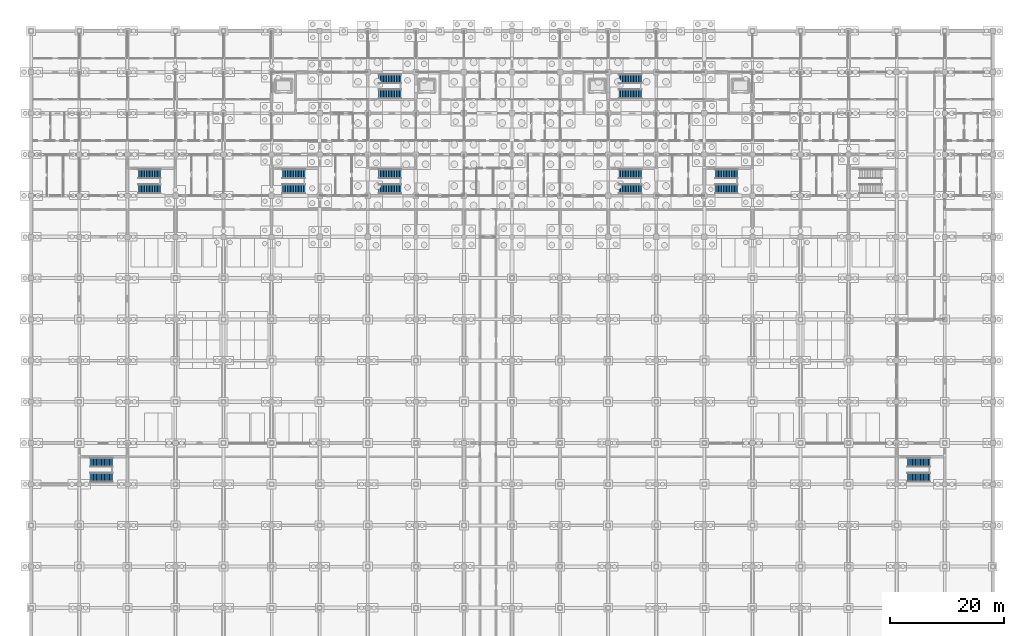
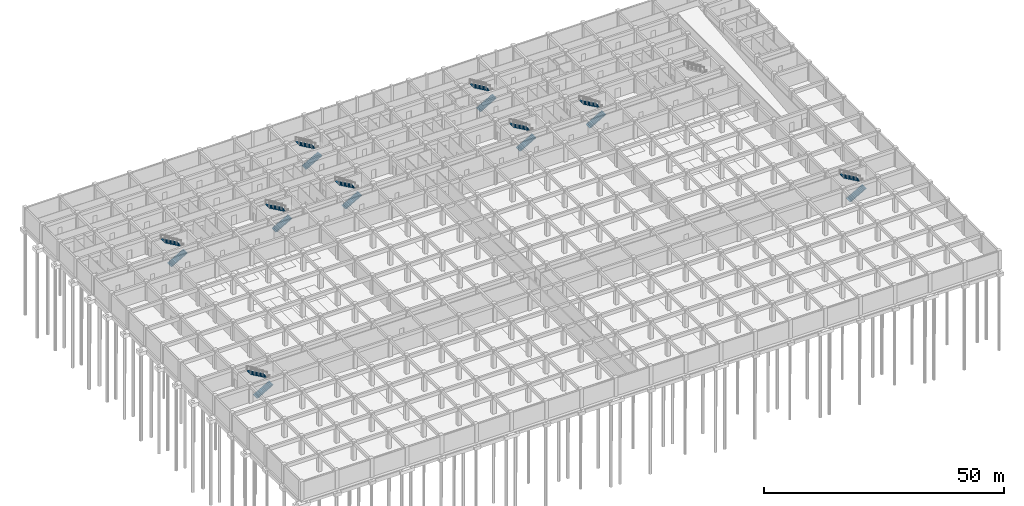
# One storey, part 80 of 85: 18 stair flights, 9 elements without a shape of their own.
"""IFC4 building model written with IfcOpenShell, lengths in metres."""

from ifc_helpers import new_model, si_unit, direction, frame, origin, place, context, subcontext, project, spatial, polyline, outline, extrude, material, type_object, element, aggregate, save


model = new_model("IFC4")

# Units and contexts
model_context = context("Model", 3, precision=1e-05, world=origin(), true_north=direction((0.0, 1.0)))
body_context = subcontext(model_context, "Body", "Model", "MODEL_VIEW")
ifc_project = project(units=[si_unit("LENGTHUNIT", "METRE"), si_unit("AREAUNIT", "SQUARE_METRE"), si_unit("VOLUMEUNIT", "CUBIC_METRE"), si_unit("PLANEANGLEUNIT", "RADIAN"), si_unit("MASSUNIT", "GRAM", prefix="KILO")], contexts=[model_context])

# Site, building, storey
site_placement = place(None, origin())
site = spatial("IfcSite", under=ifc_project, at=site_placement, CompositionType="ELEMENT")
building_placement = place(site_placement, origin())
building = spatial("IfcBuilding", under=site, at=building_placement, Name="Chengyuan Square Courthouse", CompositionType="ELEMENT")
storey_placement = place(building_placement, frame((0.0, 0.0, -10.199951171875)))
storey = spatial("IfcBuildingStorey", under=building, at=storey_placement, Name="B02", CompositionType="ELEMENT", Elevation=-10.199951171875)

# Stair, stair flights
ifc_material = material(Name="Concrete C40", Category="concrete")
stair_type_1 = type_object("IfcStairType", Name="ST-TYPE-01", PredefinedType="HALF_TURN_STAIR", material=ifc_material)
stair_1_placement = place(storey_placement, origin())
stair_1 = element("IfcStair", 1, at=stair_1_placement, inside=storey, type_object=stair_type_1, Name="Smoke-Proof Exit Stair ST-1 (B02 to B01)", PredefinedType="HALF_TURN_STAIR")
stair_flight_type_1 = type_object("IfcStairFlightType", Name="STF-TYPE-01", PredefinedType="STRAIGHT", material=ifc_material)
stair_flight_1_placement = place(storey_placement, frame((60.7099609375, 104.175048828125, 0.0), z_axis=(0.0, 0.0, 1.0), x_axis=(1.0, 0.0, 0.0)))
stair_flight_1 = element("IfcStairFlight", 2, at=stair_flight_1_placement, type_object=stair_flight_type_1, Name="ST-1 flight 1", NumberOfRisers=15, NumberOfTreads=14, PredefinedType="STRAIGHT", RiserHeight=0.16, TreadLength=0.28, context=body_context, shape_type="SweptSolid", body=[
    extrude(outline(polyline([(0.0, 0.0), (0.0, 0.159912109375), (0.280029296875, 0.159912109375), (0.280029296875, 0.320068359375), (0.56005859375, 0.320068359375), (0.56005859375, 0.47998046875), (0.840087890625, 0.47998046875), (0.840087890625, 0.639892578125), (1.1201171875, 0.639892578125), (1.1201171875, 0.800048828125), (1.39990234375, 0.800048828125), (1.39990234375, 0.9599609375), (1.679931640625, 0.9599609375), (1.679931640625, 1.1201171875), (1.9599609375, 1.1201171875), (1.9599609375, 1.280029296875), (2.239990234375, 1.280029296875), (2.239990234375, 1.43994140625), (2.52001953125, 1.43994140625), (2.52001953125, 1.60009765625), (2.800048828125, 1.60009765625), (2.800048828125, 1.760009765625), (3.080078125, 1.760009765625), (3.080078125, 1.919921875), (3.360107421875, 1.919921875), (3.360107421875, 2.080078125), (3.639892578125, 2.080078125), (3.639892578125, 2.239990234375), (3.919921875, 2.239990234375), (3.919921875, 2.39990234375), (3.919921875, 2.0673828125), (0.30224609375, 0.0), (0.0, 0.0)])), frame((0.0, 0.824951171875, 0.0), z_axis=(0.0, -1.0, 0.0), x_axis=(1.0, 0.0, 0.0)), (0.0, 0.0, 1.0), 1.64990234375),
])
stair_flight_2_placement = place(storey_placement, frame((64.6298828125, 106.824951171875, 2.39990234375), z_axis=(0.0, 0.0, 1.0), x_axis=(-1.0, 0.0, 0.0)))
stair_flight_2 = element("IfcStairFlight", 3, at=stair_flight_2_placement, type_object=stair_flight_type_1, Name="ST-1 flight 2", NumberOfRisers=15, NumberOfTreads=14, PredefinedType="STRAIGHT", RiserHeight=0.16, TreadLength=0.28, context=body_context, shape_type="SweptSolid", body=[
    extrude(outline(polyline([(0.0, 0.0), (0.0, 0.159912109375), (0.280029296875, 0.159912109375), (0.280029296875, 0.320068359375), (0.56005859375, 0.320068359375), (0.56005859375, 0.47998046875), (0.840087890625, 0.47998046875), (0.840087890625, 0.639892578125), (1.1201171875, 0.639892578125), (1.1201171875, 0.800048828125), (1.39990234375, 0.800048828125), (1.39990234375, 0.9599609375), (1.679931640625, 0.9599609375), (1.679931640625, 1.1201171875), (1.9599609375, 1.1201171875), (1.9599609375, 1.280029296875), (2.239990234375, 1.280029296875), (2.239990234375, 1.43994140625), (2.52001953125, 1.43994140625), (2.52001953125, 1.60009765625), (2.800048828125, 1.60009765625), (2.800048828125, 1.760009765625), (3.080078125, 1.760009765625), (3.080078125, 1.919921875), (3.360107421875, 1.919921875), (3.360107421875, 2.080078125), (3.639892578125, 2.080078125), (3.639892578125, 2.239990234375), (3.919921875, 2.239990234375), (3.919921875, 2.39990234375), (3.919921875, 2.0673828125), (0.30224609375, 0.0), (0.0, 0.0)])), frame((0.0, 0.824951171875, 0.0), z_axis=(0.0, -1.0, 0.0), x_axis=(1.0, 0.0, 0.0)), (0.0, 0.0, 1.0), 1.64990234375),
])
aggregate(stair_1, [stair_flight_1, stair_flight_2])

stair_type_2 = type_object("IfcStairType", Name="ST-TYPE-02", PredefinedType="HALF_TURN_STAIR", material=ifc_material)
stair_2_placement = place(storey_placement, origin())
stair_2 = element("IfcStair", 4, at=stair_2_placement, inside=storey, type_object=stair_type_2, Name="Smoke-Proof Exit Stair ST-2 (B02 to B01)", PredefinedType="HALF_TURN_STAIR")
stair_flight_type_2 = type_object("IfcStairFlightType", Name="STF-TYPE-02", PredefinedType="STRAIGHT", material=ifc_material)
stair_flight_3_placement = place(storey_placement, frame((102.7099609375, 104.175048828125, 0.0), z_axis=(0.0, 0.0, 1.0), x_axis=(1.0, 0.0, 0.0)))
stair_flight_3 = element("IfcStairFlight", 5, at=stair_flight_3_placement, type_object=stair_flight_type_2, Name="ST-2 flight 1", NumberOfRisers=15, NumberOfTreads=14, PredefinedType="STRAIGHT", RiserHeight=0.16, TreadLength=0.28, context=body_context, shape_type="SweptSolid", body=[
    extrude(outline(polyline([(0.0, 0.0), (0.0, 0.159912109375), (0.280029296875, 0.159912109375), (0.280029296875, 0.320068359375), (0.56005859375, 0.320068359375), (0.56005859375, 0.47998046875), (0.840087890625, 0.47998046875), (0.840087890625, 0.639892578125), (1.1201171875, 0.639892578125), (1.1201171875, 0.800048828125), (1.39990234375, 0.800048828125), (1.39990234375, 0.9599609375), (1.679931640625, 0.9599609375), (1.679931640625, 1.1201171875), (1.9599609375, 1.1201171875), (1.9599609375, 1.280029296875), (2.239990234375, 1.280029296875), (2.239990234375, 1.43994140625), (2.52001953125, 1.43994140625), (2.52001953125, 1.60009765625), (2.800048828125, 1.60009765625), (2.800048828125, 1.760009765625), (3.080078125, 1.760009765625), (3.080078125, 1.919921875), (3.360107421875, 1.919921875), (3.360107421875, 2.080078125), (3.639892578125, 2.080078125), (3.639892578125, 2.239990234375), (3.919921875, 2.239990234375), (3.919921875, 2.39990234375), (3.919921875, 2.0673828125), (0.30224609375, 0.0), (0.0, 0.0)])), frame((0.0, 0.824951171875, 0.0), z_axis=(0.0, -1.0, 0.0), x_axis=(1.0, 0.0, 0.0)), (0.0, 0.0, 1.0), 1.64990234375),
])
stair_flight_4_placement = place(storey_placement, frame((106.6298828125, 106.824951171875, 2.39990234375), z_axis=(0.0, 0.0, 1.0), x_axis=(-1.0, 0.0, 0.0)))
stair_flight_4 = element("IfcStairFlight", 6, at=stair_flight_4_placement, type_object=stair_flight_type_2, Name="ST-2 flight 2", NumberOfRisers=15, NumberOfTreads=14, PredefinedType="STRAIGHT", RiserHeight=0.16, TreadLength=0.28, context=body_context, shape_type="SweptSolid", body=[
    extrude(outline(polyline([(0.0, 0.0), (0.0, 0.159912109375), (0.280029296875, 0.159912109375), (0.280029296875, 0.320068359375), (0.56005859375, 0.320068359375), (0.56005859375, 0.47998046875), (0.840087890625, 0.47998046875), (0.840087890625, 0.639892578125), (1.1201171875, 0.639892578125), (1.1201171875, 0.800048828125), (1.39990234375, 0.800048828125), (1.39990234375, 0.9599609375), (1.679931640625, 0.9599609375), (1.679931640625, 1.1201171875), (1.9599609375, 1.1201171875), (1.9599609375, 1.280029296875), (2.239990234375, 1.280029296875), (2.239990234375, 1.43994140625), (2.52001953125, 1.43994140625), (2.52001953125, 1.60009765625), (2.800048828125, 1.60009765625), (2.800048828125, 1.760009765625), (3.080078125, 1.760009765625), (3.080078125, 1.919921875), (3.360107421875, 1.919921875), (3.360107421875, 2.080078125), (3.639892578125, 2.080078125), (3.639892578125, 2.239990234375), (3.919921875, 2.239990234375), (3.919921875, 2.39990234375), (3.919921875, 2.0673828125), (0.30224609375, 0.0), (0.0, 0.0)])), frame((0.0, 0.824951171875, 0.0), z_axis=(0.0, -1.0, 0.0), x_axis=(1.0, 0.0, 0.0)), (0.0, 0.0, 1.0), 1.64990234375),
])
aggregate(stair_2, [stair_flight_3, stair_flight_4])

stair_type_3 = type_object("IfcStairType", Name="ST-TYPE-03", PredefinedType="HALF_TURN_STAIR", material=ifc_material)
stair_3_placement = place(storey_placement, origin())
stair_3 = element("IfcStair", 7, at=stair_3_placement, inside=storey, type_object=stair_type_3, Name="Smoke-Proof Exit Stair ST-3 (B02 to B01)", PredefinedType="HALF_TURN_STAIR")
stair_flight_type_3 = type_object("IfcStairFlightType", Name="STF-TYPE-03", PredefinedType="STRAIGHT", material=ifc_material)
stair_flight_5_placement = place(storey_placement, frame((60.7099609375, 87.574951171875, 0.0), z_axis=(0.0, 0.0, 1.0), x_axis=(1.0, 0.0, 0.0)))
stair_flight_5 = element("IfcStairFlight", 8, at=stair_flight_5_placement, type_object=stair_flight_type_3, Name="ST-3 flight 1", NumberOfRisers=15, NumberOfTreads=14, PredefinedType="STRAIGHT", RiserHeight=0.16, TreadLength=0.28, context=body_context, shape_type="SweptSolid", body=[
    extrude(outline(polyline([(0.0, 0.0), (0.0, 0.159912109375), (0.280029296875, 0.159912109375), (0.280029296875, 0.320068359375), (0.56005859375, 0.320068359375), (0.56005859375, 0.47998046875), (0.840087890625, 0.47998046875), (0.840087890625, 0.639892578125), (1.1201171875, 0.639892578125), (1.1201171875, 0.800048828125), (1.39990234375, 0.800048828125), (1.39990234375, 0.9599609375), (1.679931640625, 0.9599609375), (1.679931640625, 1.1201171875), (1.9599609375, 1.1201171875), (1.9599609375, 1.280029296875), (2.239990234375, 1.280029296875), (2.239990234375, 1.43994140625), (2.52001953125, 1.43994140625), (2.52001953125, 1.60009765625), (2.800048828125, 1.60009765625), (2.800048828125, 1.760009765625), (3.080078125, 1.760009765625), (3.080078125, 1.919921875), (3.360107421875, 1.919921875), (3.360107421875, 2.080078125), (3.639892578125, 2.080078125), (3.639892578125, 2.239990234375), (3.919921875, 2.239990234375), (3.919921875, 2.39990234375), (3.919921875, 2.0673828125), (0.30224609375, 0.0), (0.0, 0.0)])), frame((0.0, 0.824951171875, 0.0), z_axis=(0.0, -1.0, 0.0), x_axis=(1.0, 0.0, 0.0)), (0.0, 0.0, 1.0), 1.64990234375),
])
stair_flight_6_placement = place(storey_placement, frame((64.6298828125, 90.22509765625, 2.39990234375), z_axis=(0.0, 0.0, 1.0), x_axis=(-1.0, 0.0, 0.0)))
stair_flight_6 = element("IfcStairFlight", 9, at=stair_flight_6_placement, type_object=stair_flight_type_3, Name="ST-3 flight 2", NumberOfRisers=15, NumberOfTreads=14, PredefinedType="STRAIGHT", RiserHeight=0.16, TreadLength=0.28, context=body_context, shape_type="SweptSolid", body=[
    extrude(outline(polyline([(0.0, 0.0), (0.0, 0.159912109375), (0.280029296875, 0.159912109375), (0.280029296875, 0.320068359375), (0.56005859375, 0.320068359375), (0.56005859375, 0.47998046875), (0.840087890625, 0.47998046875), (0.840087890625, 0.639892578125), (1.1201171875, 0.639892578125), (1.1201171875, 0.800048828125), (1.39990234375, 0.800048828125), (1.39990234375, 0.9599609375), (1.679931640625, 0.9599609375), (1.679931640625, 1.1201171875), (1.9599609375, 1.1201171875), (1.9599609375, 1.280029296875), (2.239990234375, 1.280029296875), (2.239990234375, 1.43994140625), (2.52001953125, 1.43994140625), (2.52001953125, 1.60009765625), (2.800048828125, 1.60009765625), (2.800048828125, 1.760009765625), (3.080078125, 1.760009765625), (3.080078125, 1.919921875), (3.360107421875, 1.919921875), (3.360107421875, 2.080078125), (3.639892578125, 2.080078125), (3.639892578125, 2.239990234375), (3.919921875, 2.239990234375), (3.919921875, 2.39990234375), (3.919921875, 2.0673828125), (0.30224609375, 0.0), (0.0, 0.0)])), frame((0.0, 0.824951171875, 0.0), z_axis=(0.0, -1.0, 0.0), x_axis=(1.0, 0.0, 0.0)), (0.0, 0.0, 1.0), 1.64990234375),
])
aggregate(stair_3, [stair_flight_5, stair_flight_6])

stair_type_4 = type_object("IfcStairType", Name="ST-TYPE-04", PredefinedType="HALF_TURN_STAIR", material=ifc_material)
stair_4_placement = place(storey_placement, origin())
stair_4 = element("IfcStair", 10, at=stair_4_placement, inside=storey, type_object=stair_type_4, Name="Smoke-Proof Exit Stair ST-4 (B02 to B01)", PredefinedType="HALF_TURN_STAIR")
stair_flight_type_4 = type_object("IfcStairFlightType", Name="STF-TYPE-04", PredefinedType="STRAIGHT", material=ifc_material)
stair_flight_7_placement = place(storey_placement, frame((102.7099609375, 87.574951171875, 0.0), z_axis=(0.0, 0.0, 1.0), x_axis=(1.0, 0.0, 0.0)))
stair_flight_7 = element("IfcStairFlight", 11, at=stair_flight_7_placement, type_object=stair_flight_type_4, Name="ST-4 flight 1", NumberOfRisers=15, NumberOfTreads=14, PredefinedType="STRAIGHT", RiserHeight=0.16, TreadLength=0.28, context=body_context, shape_type="SweptSolid", body=[
    extrude(outline(polyline([(0.0, 0.0), (0.0, 0.159912109375), (0.280029296875, 0.159912109375), (0.280029296875, 0.320068359375), (0.56005859375, 0.320068359375), (0.56005859375, 0.47998046875), (0.840087890625, 0.47998046875), (0.840087890625, 0.639892578125), (1.1201171875, 0.639892578125), (1.1201171875, 0.800048828125), (1.39990234375, 0.800048828125), (1.39990234375, 0.9599609375), (1.679931640625, 0.9599609375), (1.679931640625, 1.1201171875), (1.9599609375, 1.1201171875), (1.9599609375, 1.280029296875), (2.239990234375, 1.280029296875), (2.239990234375, 1.43994140625), (2.52001953125, 1.43994140625), (2.52001953125, 1.60009765625), (2.800048828125, 1.60009765625), (2.800048828125, 1.760009765625), (3.080078125, 1.760009765625), (3.080078125, 1.919921875), (3.360107421875, 1.919921875), (3.360107421875, 2.080078125), (3.639892578125, 2.080078125), (3.639892578125, 2.239990234375), (3.919921875, 2.239990234375), (3.919921875, 2.39990234375), (3.919921875, 2.0673828125), (0.30224609375, 0.0), (0.0, 0.0)])), frame((0.0, 0.824951171875, 0.0), z_axis=(0.0, -1.0, 0.0), x_axis=(1.0, 0.0, 0.0)), (0.0, 0.0, 1.0), 1.64990234375),
])
stair_flight_8_placement = place(storey_placement, frame((106.6298828125, 90.22509765625, 2.39990234375), z_axis=(0.0, 0.0, 1.0), x_axis=(-1.0, 0.0, 0.0)))
stair_flight_8 = element("IfcStairFlight", 12, at=stair_flight_8_placement, type_object=stair_flight_type_4, Name="ST-4 flight 2", NumberOfRisers=15, NumberOfTreads=14, PredefinedType="STRAIGHT", RiserHeight=0.16, TreadLength=0.28, context=body_context, shape_type="SweptSolid", body=[
    extrude(outline(polyline([(0.0, 0.0), (0.0, 0.159912109375), (0.280029296875, 0.159912109375), (0.280029296875, 0.320068359375), (0.56005859375, 0.320068359375), (0.56005859375, 0.47998046875), (0.840087890625, 0.47998046875), (0.840087890625, 0.639892578125), (1.1201171875, 0.639892578125), (1.1201171875, 0.800048828125), (1.39990234375, 0.800048828125), (1.39990234375, 0.9599609375), (1.679931640625, 0.9599609375), (1.679931640625, 1.1201171875), (1.9599609375, 1.1201171875), (1.9599609375, 1.280029296875), (2.239990234375, 1.280029296875), (2.239990234375, 1.43994140625), (2.52001953125, 1.43994140625), (2.52001953125, 1.60009765625), (2.800048828125, 1.60009765625), (2.800048828125, 1.760009765625), (3.080078125, 1.760009765625), (3.080078125, 1.919921875), (3.360107421875, 1.919921875), (3.360107421875, 2.080078125), (3.639892578125, 2.080078125), (3.639892578125, 2.239990234375), (3.919921875, 2.239990234375), (3.919921875, 2.39990234375), (3.919921875, 2.0673828125), (0.30224609375, 0.0), (0.0, 0.0)])), frame((0.0, 0.824951171875, 0.0), z_axis=(0.0, -1.0, 0.0), x_axis=(1.0, 0.0, 0.0)), (0.0, 0.0, 1.0), 1.64990234375),
])
aggregate(stair_4, [stair_flight_7, stair_flight_8])

stair_type_5 = type_object("IfcStairType", Name="ST-TYPE-05", PredefinedType="HALF_TURN_STAIR", material=ifc_material)
stair_5_placement = place(storey_placement, origin())
stair_5 = element("IfcStair", 13, at=stair_5_placement, inside=storey, type_object=stair_type_5, Name="Smoke-Proof Exit Stair ST-5 (B02 to B01)", PredefinedType="HALF_TURN_STAIR")
stair_flight_type_5 = type_object("IfcStairFlightType", Name="STF-TYPE-05", PredefinedType="STRAIGHT", material=ifc_material)
stair_flight_9_placement = place(storey_placement, frame((43.909912109375, 87.574951171875, 0.0), z_axis=(0.0, 0.0, 1.0), x_axis=(1.0, 0.0, 0.0)))
stair_flight_9 = element("IfcStairFlight", 14, at=stair_flight_9_placement, type_object=stair_flight_type_5, Name="ST-5 flight 1", NumberOfRisers=15, NumberOfTreads=14, PredefinedType="STRAIGHT", RiserHeight=0.16, TreadLength=0.28, context=body_context, shape_type="SweptSolid", body=[
    extrude(outline(polyline([(0.0, 0.0), (0.0, 0.159912109375), (0.280029296875, 0.159912109375), (0.280029296875, 0.320068359375), (0.56005859375, 0.320068359375), (0.56005859375, 0.47998046875), (0.840087890625, 0.47998046875), (0.840087890625, 0.639892578125), (1.1201171875, 0.639892578125), (1.1201171875, 0.800048828125), (1.39990234375, 0.800048828125), (1.39990234375, 0.9599609375), (1.679931640625, 0.9599609375), (1.679931640625, 1.1201171875), (1.9599609375, 1.1201171875), (1.9599609375, 1.280029296875), (2.239990234375, 1.280029296875), (2.239990234375, 1.43994140625), (2.52001953125, 1.43994140625), (2.52001953125, 1.60009765625), (2.800048828125, 1.60009765625), (2.800048828125, 1.760009765625), (3.080078125, 1.760009765625), (3.080078125, 1.919921875), (3.360107421875, 1.919921875), (3.360107421875, 2.080078125), (3.639892578125, 2.080078125), (3.639892578125, 2.239990234375), (3.919921875, 2.239990234375), (3.919921875, 2.39990234375), (3.919921875, 2.0673828125), (0.30224609375, 0.0), (0.0, 0.0)])), frame((0.0, 0.824951171875, 0.0), z_axis=(0.0, -1.0, 0.0), x_axis=(1.0, 0.0, 0.0)), (0.0, 0.0, 1.0), 1.64990234375),
])
stair_flight_10_placement = place(storey_placement, frame((47.830078125, 90.22509765625, 2.39990234375), z_axis=(0.0, 0.0, 1.0), x_axis=(-1.0, 0.0, 0.0)))
stair_flight_10 = element("IfcStairFlight", 15, at=stair_flight_10_placement, type_object=stair_flight_type_5, Name="ST-5 flight 2", NumberOfRisers=15, NumberOfTreads=14, PredefinedType="STRAIGHT", RiserHeight=0.16, TreadLength=0.28, context=body_context, shape_type="SweptSolid", body=[
    extrude(outline(polyline([(0.0, 0.0), (0.0, 0.159912109375), (0.280029296875, 0.159912109375), (0.280029296875, 0.320068359375), (0.56005859375, 0.320068359375), (0.56005859375, 0.47998046875), (0.840087890625, 0.47998046875), (0.840087890625, 0.639892578125), (1.1201171875, 0.639892578125), (1.1201171875, 0.800048828125), (1.39990234375, 0.800048828125), (1.39990234375, 0.9599609375), (1.679931640625, 0.9599609375), (1.679931640625, 1.1201171875), (1.9599609375, 1.1201171875), (1.9599609375, 1.280029296875), (2.239990234375, 1.280029296875), (2.239990234375, 1.43994140625), (2.52001953125, 1.43994140625), (2.52001953125, 1.60009765625), (2.800048828125, 1.60009765625), (2.800048828125, 1.760009765625), (3.080078125, 1.760009765625), (3.080078125, 1.919921875), (3.360107421875, 1.919921875), (3.360107421875, 2.080078125), (3.639892578125, 2.080078125), (3.639892578125, 2.239990234375), (3.919921875, 2.239990234375), (3.919921875, 2.39990234375), (3.919921875, 2.0673828125), (0.30224609375, 0.0), (0.0, 0.0)])), frame((0.0, 0.824951171875, 0.0), z_axis=(0.0, -1.0, 0.0), x_axis=(1.0, 0.0, 0.0)), (0.0, 0.0, 1.0), 1.64990234375),
])
aggregate(stair_5, [stair_flight_9, stair_flight_10])

stair_type_6 = type_object("IfcStairType", Name="ST-TYPE-06", PredefinedType="HALF_TURN_STAIR", material=ifc_material)
stair_6_placement = place(storey_placement, origin())
stair_6 = element("IfcStair", 16, at=stair_6_placement, inside=storey, type_object=stair_type_6, Name="Smoke-Proof Exit Stair ST-6 (B02 to B01)", PredefinedType="HALF_TURN_STAIR")
stair_flight_type_6 = type_object("IfcStairFlightType", Name="STF-TYPE-06", PredefinedType="STRAIGHT", material=ifc_material)
stair_flight_11_placement = place(storey_placement, frame((119.510009765625, 87.574951171875, 0.0), z_axis=(0.0, 0.0, 1.0), x_axis=(1.0, 0.0, 0.0)))
stair_flight_11 = element("IfcStairFlight", 17, at=stair_flight_11_placement, type_object=stair_flight_type_6, Name="ST-6 flight 1", NumberOfRisers=15, NumberOfTreads=14, PredefinedType="STRAIGHT", RiserHeight=0.16, TreadLength=0.28, context=body_context, shape_type="SweptSolid", body=[
    extrude(outline(polyline([(0.0, 0.0), (0.0, 0.159912109375), (0.280029296875, 0.159912109375), (0.280029296875, 0.320068359375), (0.56005859375, 0.320068359375), (0.56005859375, 0.47998046875), (0.840087890625, 0.47998046875), (0.840087890625, 0.639892578125), (1.1201171875, 0.639892578125), (1.1201171875, 0.800048828125), (1.39990234375, 0.800048828125), (1.39990234375, 0.9599609375), (1.679931640625, 0.9599609375), (1.679931640625, 1.1201171875), (1.9599609375, 1.1201171875), (1.9599609375, 1.280029296875), (2.239990234375, 1.280029296875), (2.239990234375, 1.43994140625), (2.52001953125, 1.43994140625), (2.52001953125, 1.60009765625), (2.800048828125, 1.60009765625), (2.800048828125, 1.760009765625), (3.080078125, 1.760009765625), (3.080078125, 1.919921875), (3.360107421875, 1.919921875), (3.360107421875, 2.080078125), (3.639892578125, 2.080078125), (3.639892578125, 2.239990234375), (3.919921875, 2.239990234375), (3.919921875, 2.39990234375), (3.919921875, 2.0673828125), (0.30224609375, 0.0), (0.0, 0.0)])), frame((0.0, 0.824951171875, 0.0), z_axis=(0.0, -1.0, 0.0), x_axis=(1.0, 0.0, 0.0)), (0.0, 0.0, 1.0), 1.64990234375),
])
stair_flight_12_placement = place(storey_placement, frame((123.429931640625, 90.22509765625, 2.39990234375), z_axis=(0.0, 0.0, 1.0), x_axis=(-1.0, 0.0, 0.0)))
stair_flight_12 = element("IfcStairFlight", 18, at=stair_flight_12_placement, type_object=stair_flight_type_6, Name="ST-6 flight 2", NumberOfRisers=15, NumberOfTreads=14, PredefinedType="STRAIGHT", RiserHeight=0.16, TreadLength=0.28, context=body_context, shape_type="SweptSolid", body=[
    extrude(outline(polyline([(0.0, 0.0), (0.0, 0.159912109375), (0.280029296875, 0.159912109375), (0.280029296875, 0.320068359375), (0.56005859375, 0.320068359375), (0.56005859375, 0.47998046875), (0.840087890625, 0.47998046875), (0.840087890625, 0.639892578125), (1.1201171875, 0.639892578125), (1.1201171875, 0.800048828125), (1.39990234375, 0.800048828125), (1.39990234375, 0.9599609375), (1.679931640625, 0.9599609375), (1.679931640625, 1.1201171875), (1.9599609375, 1.1201171875), (1.9599609375, 1.280029296875), (2.239990234375, 1.280029296875), (2.239990234375, 1.43994140625), (2.52001953125, 1.43994140625), (2.52001953125, 1.60009765625), (2.800048828125, 1.60009765625), (2.800048828125, 1.760009765625), (3.080078125, 1.760009765625), (3.080078125, 1.919921875), (3.360107421875, 1.919921875), (3.360107421875, 2.080078125), (3.639892578125, 2.080078125), (3.639892578125, 2.239990234375), (3.919921875, 2.239990234375), (3.919921875, 2.39990234375), (3.919921875, 2.0673828125), (0.30224609375, 0.0), (0.0, 0.0)])), frame((0.0, 0.824951171875, 0.0), z_axis=(0.0, -1.0, 0.0), x_axis=(1.0, 0.0, 0.0)), (0.0, 0.0, 1.0), 1.64990234375),
])
aggregate(stair_6, [stair_flight_11, stair_flight_12])

stair_type_7 = type_object("IfcStairType", Name="ST-TYPE-07", PredefinedType="HALF_TURN_STAIR", material=ifc_material)
stair_7_placement = place(storey_placement, origin())
stair_7 = element("IfcStair", 19, at=stair_7_placement, inside=storey, type_object=stair_type_7, Name="Smoke-Proof Exit Stair ST-7 (B02 to B01)", PredefinedType="HALF_TURN_STAIR")
stair_flight_type_7 = type_object("IfcStairFlightType", Name="STF-TYPE-07", PredefinedType="STRAIGHT", material=ifc_material)
stair_flight_13_placement = place(storey_placement, frame((10.31005859375, 37.175048828125, 0.0), z_axis=(0.0, 0.0, 1.0), x_axis=(1.0, 0.0, 0.0)))
stair_flight_13 = element("IfcStairFlight", 20, at=stair_flight_13_placement, type_object=stair_flight_type_7, Name="ST-7 flight 1", NumberOfRisers=15, NumberOfTreads=14, PredefinedType="STRAIGHT", RiserHeight=0.16, TreadLength=0.28, context=body_context, shape_type="SweptSolid", body=[
    extrude(outline(polyline([(0.0, 0.0), (0.0, 0.159912109375), (0.280029296875, 0.159912109375), (0.280029296875, 0.320068359375), (0.56005859375, 0.320068359375), (0.56005859375, 0.47998046875), (0.840087890625, 0.47998046875), (0.840087890625, 0.639892578125), (1.1201171875, 0.639892578125), (1.1201171875, 0.800048828125), (1.39990234375, 0.800048828125), (1.39990234375, 0.9599609375), (1.679931640625, 0.9599609375), (1.679931640625, 1.1201171875), (1.9599609375, 1.1201171875), (1.9599609375, 1.280029296875), (2.239990234375, 1.280029296875), (2.239990234375, 1.43994140625), (2.52001953125, 1.43994140625), (2.52001953125, 1.60009765625), (2.800048828125, 1.60009765625), (2.800048828125, 1.760009765625), (3.080078125, 1.760009765625), (3.080078125, 1.919921875), (3.360107421875, 1.919921875), (3.360107421875, 2.080078125), (3.639892578125, 2.080078125), (3.639892578125, 2.239990234375), (3.919921875, 2.239990234375), (3.919921875, 2.39990234375), (3.919921875, 2.0673828125), (0.30224609375, 0.0), (0.0, 0.0)])), frame((0.0, 0.824951171875, 0.0), z_axis=(0.0, -1.0, 0.0), x_axis=(1.0, 0.0, 0.0)), (0.0, 0.0, 1.0), 1.64990234375),
])
stair_flight_14_placement = place(storey_placement, frame((14.22998046875, 39.824951171875, 2.39990234375), z_axis=(0.0, 0.0, 1.0), x_axis=(-1.0, 0.0, 0.0)))
stair_flight_14 = element("IfcStairFlight", 21, at=stair_flight_14_placement, type_object=stair_flight_type_7, Name="ST-7 flight 2", NumberOfRisers=15, NumberOfTreads=14, PredefinedType="STRAIGHT", RiserHeight=0.16, TreadLength=0.28, context=body_context, shape_type="SweptSolid", body=[
    extrude(outline(polyline([(0.0, 0.0), (0.0, 0.159912109375), (0.280029296875, 0.159912109375), (0.280029296875, 0.320068359375), (0.56005859375, 0.320068359375), (0.56005859375, 0.47998046875), (0.840087890625, 0.47998046875), (0.840087890625, 0.639892578125), (1.1201171875, 0.639892578125), (1.1201171875, 0.800048828125), (1.39990234375, 0.800048828125), (1.39990234375, 0.9599609375), (1.679931640625, 0.9599609375), (1.679931640625, 1.1201171875), (1.9599609375, 1.1201171875), (1.9599609375, 1.280029296875), (2.239990234375, 1.280029296875), (2.239990234375, 1.43994140625), (2.52001953125, 1.43994140625), (2.52001953125, 1.60009765625), (2.800048828125, 1.60009765625), (2.800048828125, 1.760009765625), (3.080078125, 1.760009765625), (3.080078125, 1.919921875), (3.360107421875, 1.919921875), (3.360107421875, 2.080078125), (3.639892578125, 2.080078125), (3.639892578125, 2.239990234375), (3.919921875, 2.239990234375), (3.919921875, 2.39990234375), (3.919921875, 2.0673828125), (0.30224609375, 0.0), (0.0, 0.0)])), frame((0.0, 0.824951171875, 0.0), z_axis=(0.0, -1.0, 0.0), x_axis=(1.0, 0.0, 0.0)), (0.0, 0.0, 1.0), 1.64990234375),
])
aggregate(stair_7, [stair_flight_13, stair_flight_14])

stair_type_8 = type_object("IfcStairType", Name="ST-TYPE-08", PredefinedType="HALF_TURN_STAIR", material=ifc_material)
stair_8_placement = place(storey_placement, origin())
stair_8 = element("IfcStair", 22, at=stair_8_placement, inside=storey, type_object=stair_type_8, Name="Smoke-Proof Exit Stair ST-8 (B02 to B01)", PredefinedType="HALF_TURN_STAIR")
stair_flight_type_8 = type_object("IfcStairFlightType", Name="STF-TYPE-08", PredefinedType="STRAIGHT", material=ifc_material)
stair_flight_15_placement = place(storey_placement, frame((153.110107421875, 37.175048828125, 0.0), z_axis=(0.0, 0.0, 1.0), x_axis=(1.0, 0.0, 0.0)))
stair_flight_15 = element("IfcStairFlight", 23, at=stair_flight_15_placement, type_object=stair_flight_type_8, Name="ST-8 flight 1", NumberOfRisers=15, NumberOfTreads=14, PredefinedType="STRAIGHT", RiserHeight=0.16, TreadLength=0.28, context=body_context, shape_type="SweptSolid", body=[
    extrude(outline(polyline([(0.0, 0.0), (0.0, 0.159912109375), (0.280029296875, 0.159912109375), (0.280029296875, 0.320068359375), (0.56005859375, 0.320068359375), (0.56005859375, 0.47998046875), (0.840087890625, 0.47998046875), (0.840087890625, 0.639892578125), (1.1201171875, 0.639892578125), (1.1201171875, 0.800048828125), (1.39990234375, 0.800048828125), (1.39990234375, 0.9599609375), (1.679931640625, 0.9599609375), (1.679931640625, 1.1201171875), (1.9599609375, 1.1201171875), (1.9599609375, 1.280029296875), (2.239990234375, 1.280029296875), (2.239990234375, 1.43994140625), (2.52001953125, 1.43994140625), (2.52001953125, 1.60009765625), (2.800048828125, 1.60009765625), (2.800048828125, 1.760009765625), (3.080078125, 1.760009765625), (3.080078125, 1.919921875), (3.360107421875, 1.919921875), (3.360107421875, 2.080078125), (3.639892578125, 2.080078125), (3.639892578125, 2.239990234375), (3.919921875, 2.239990234375), (3.919921875, 2.39990234375), (3.919921875, 2.0673828125), (0.30224609375, 0.0), (0.0, 0.0)])), frame((0.0, 0.824951171875, 0.0), z_axis=(0.0, -1.0, 0.0), x_axis=(1.0, 0.0, 0.0)), (0.0, 0.0, 1.0), 1.64990234375),
])
stair_flight_16_placement = place(storey_placement, frame((157.030029296875, 39.824951171875, 2.39990234375), z_axis=(0.0, 0.0, 1.0), x_axis=(-1.0, 0.0, 0.0)))
stair_flight_16 = element("IfcStairFlight", 24, at=stair_flight_16_placement, type_object=stair_flight_type_8, Name="ST-8 flight 2", NumberOfRisers=15, NumberOfTreads=14, PredefinedType="STRAIGHT", RiserHeight=0.16, TreadLength=0.28, context=body_context, shape_type="SweptSolid", body=[
    extrude(outline(polyline([(0.0, 0.0), (0.0, 0.159912109375), (0.280029296875, 0.159912109375), (0.280029296875, 0.320068359375), (0.56005859375, 0.320068359375), (0.56005859375, 0.47998046875), (0.840087890625, 0.47998046875), (0.840087890625, 0.639892578125), (1.1201171875, 0.639892578125), (1.1201171875, 0.800048828125), (1.39990234375, 0.800048828125), (1.39990234375, 0.9599609375), (1.679931640625, 0.9599609375), (1.679931640625, 1.1201171875), (1.9599609375, 1.1201171875), (1.9599609375, 1.280029296875), (2.239990234375, 1.280029296875), (2.239990234375, 1.43994140625), (2.52001953125, 1.43994140625), (2.52001953125, 1.60009765625), (2.800048828125, 1.60009765625), (2.800048828125, 1.760009765625), (3.080078125, 1.760009765625), (3.080078125, 1.919921875), (3.360107421875, 1.919921875), (3.360107421875, 2.080078125), (3.639892578125, 2.080078125), (3.639892578125, 2.239990234375), (3.919921875, 2.239990234375), (3.919921875, 2.39990234375), (3.919921875, 2.0673828125), (0.30224609375, 0.0), (0.0, 0.0)])), frame((0.0, 0.824951171875, 0.0), z_axis=(0.0, -1.0, 0.0), x_axis=(1.0, 0.0, 0.0)), (0.0, 0.0, 1.0), 1.64990234375),
])
aggregate(stair_8, [stair_flight_15, stair_flight_16])

stair_type_9 = type_object("IfcStairType", Name="ST-TYPE-09", PredefinedType="HALF_TURN_STAIR", material=ifc_material)
stair_9_placement = place(storey_placement, origin())
stair_9 = element("IfcStair", 25, at=stair_9_placement, inside=storey, type_object=stair_type_9, Name="Smoke-Proof Exit Stair ST-9 (B02 to B01)", PredefinedType="HALF_TURN_STAIR")
stair_flight_type_9 = type_object("IfcStairFlightType", Name="STF-TYPE-09", PredefinedType="STRAIGHT", material=ifc_material)
stair_flight_17_placement = place(storey_placement, frame((18.7099609375, 87.574951171875, 0.0), z_axis=(0.0, 0.0, 1.0), x_axis=(1.0, 0.0, 0.0)))
stair_flight_17 = element("IfcStairFlight", 26, at=stair_flight_17_placement, type_object=stair_flight_type_9, Name="ST-9 flight 1", NumberOfRisers=15, NumberOfTreads=14, PredefinedType="STRAIGHT", RiserHeight=0.16, TreadLength=0.28, context=body_context, shape_type="SweptSolid", body=[
    extrude(outline(polyline([(0.0, 0.0), (0.0, 0.159912109375), (0.280029296875, 0.159912109375), (0.280029296875, 0.320068359375), (0.56005859375, 0.320068359375), (0.56005859375, 0.47998046875), (0.840087890625, 0.47998046875), (0.840087890625, 0.639892578125), (1.1201171875, 0.639892578125), (1.1201171875, 0.800048828125), (1.39990234375, 0.800048828125), (1.39990234375, 0.9599609375), (1.679931640625, 0.9599609375), (1.679931640625, 1.1201171875), (1.9599609375, 1.1201171875), (1.9599609375, 1.280029296875), (2.239990234375, 1.280029296875), (2.239990234375, 1.43994140625), (2.52001953125, 1.43994140625), (2.52001953125, 1.60009765625), (2.800048828125, 1.60009765625), (2.800048828125, 1.760009765625), (3.080078125, 1.760009765625), (3.080078125, 1.919921875), (3.360107421875, 1.919921875), (3.360107421875, 2.080078125), (3.639892578125, 2.080078125), (3.639892578125, 2.239990234375), (3.919921875, 2.239990234375), (3.919921875, 2.39990234375), (3.919921875, 2.0673828125), (0.30224609375, 0.0), (0.0, 0.0)])), frame((0.0, 0.824951171875, 0.0), z_axis=(0.0, -1.0, 0.0), x_axis=(1.0, 0.0, 0.0)), (0.0, 0.0, 1.0), 1.64990234375),
])
stair_flight_18_placement = place(storey_placement, frame((22.6298828125, 90.22509765625, 2.39990234375), z_axis=(0.0, 0.0, 1.0), x_axis=(-1.0, 0.0, 0.0)))
stair_flight_18 = element("IfcStairFlight", 27, at=stair_flight_18_placement, type_object=stair_flight_type_9, Name="ST-9 flight 2", NumberOfRisers=15, NumberOfTreads=14, PredefinedType="STRAIGHT", RiserHeight=0.16, TreadLength=0.28, context=body_context, shape_type="SweptSolid", body=[
    extrude(outline(polyline([(0.0, 0.0), (0.0, 0.159912109375), (0.280029296875, 0.159912109375), (0.280029296875, 0.320068359375), (0.56005859375, 0.320068359375), (0.56005859375, 0.47998046875), (0.840087890625, 0.47998046875), (0.840087890625, 0.639892578125), (1.1201171875, 0.639892578125), (1.1201171875, 0.800048828125), (1.39990234375, 0.800048828125), (1.39990234375, 0.9599609375), (1.679931640625, 0.9599609375), (1.679931640625, 1.1201171875), (1.9599609375, 1.1201171875), (1.9599609375, 1.280029296875), (2.239990234375, 1.280029296875), (2.239990234375, 1.43994140625), (2.52001953125, 1.43994140625), (2.52001953125, 1.60009765625), (2.800048828125, 1.60009765625), (2.800048828125, 1.760009765625), (3.080078125, 1.760009765625), (3.080078125, 1.919921875), (3.360107421875, 1.919921875), (3.360107421875, 2.080078125), (3.639892578125, 2.080078125), (3.639892578125, 2.239990234375), (3.919921875, 2.239990234375), (3.919921875, 2.39990234375), (3.919921875, 2.0673828125), (0.30224609375, 0.0), (0.0, 0.0)])), frame((0.0, 0.824951171875, 0.0), z_axis=(0.0, -1.0, 0.0), x_axis=(1.0, 0.0, 0.0)), (0.0, 0.0, 1.0), 1.64990234375),
])
aggregate(stair_9, [stair_flight_17, stair_flight_18])

save(model, "model.ifc")
